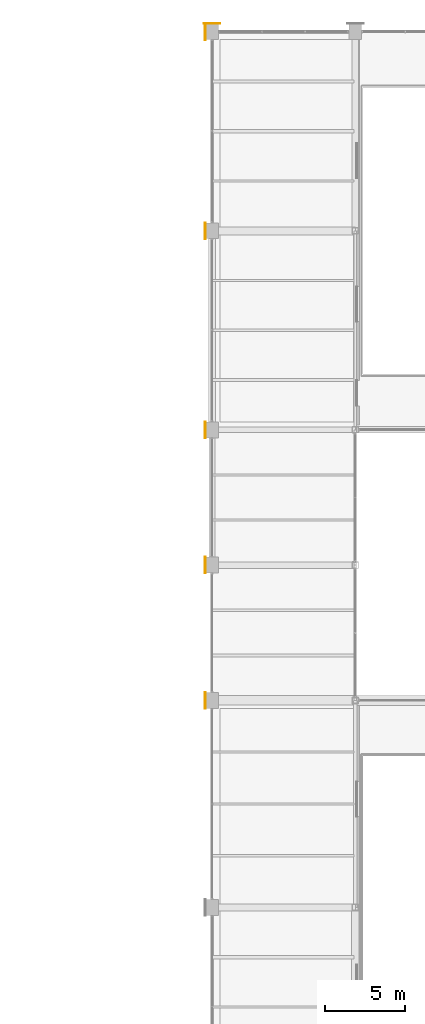
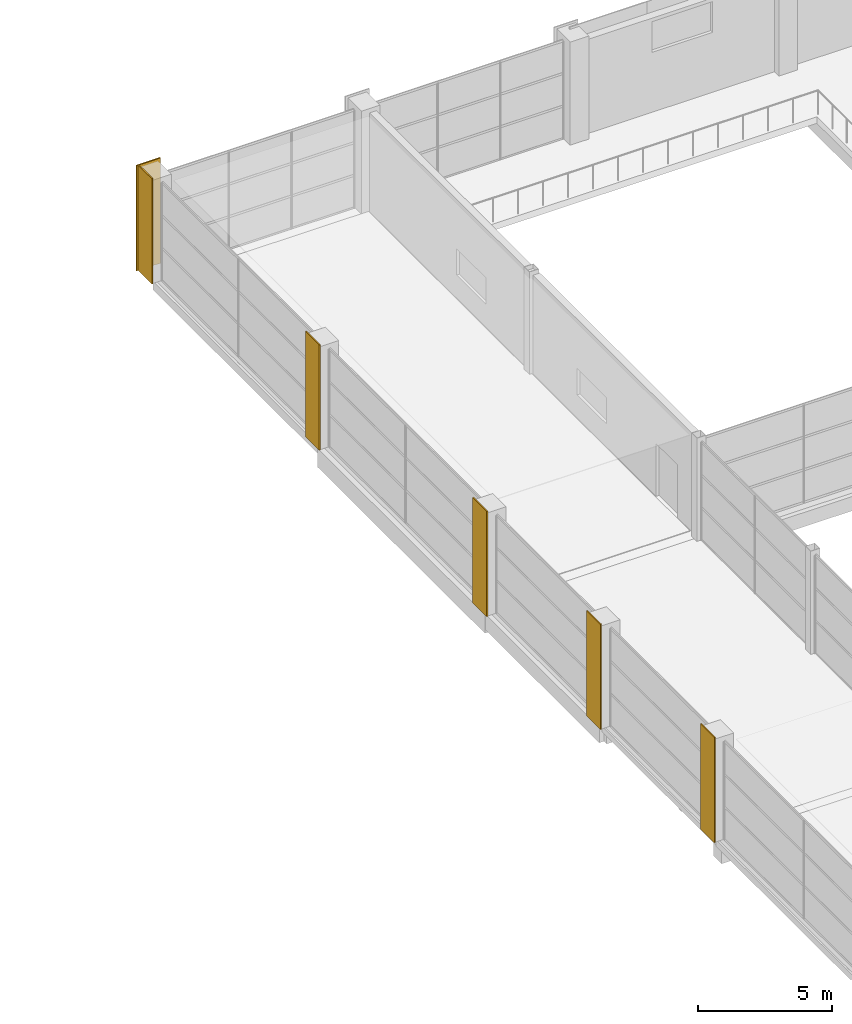
# One storey, part 108 of 112: 6 coverings.
"""IFC4 building model written with IfcOpenShell, lengths in metres."""

from ifc_helpers import new_model, si_unit, direction, frame, origin, origin_2d, place, context, subcontext, project, spatial, rectangle, extrude, material, layer, layer_set, type_object, element, save


model = new_model("IFC4")

# Units and contexts
model_context = context("Model", 3, precision=1e-05, world=origin(), true_north=direction((0.0, 1.0)))
body_context = subcontext(model_context, "Body", "Model", "MODEL_VIEW")
ifc_project = project(units=[si_unit("LENGTHUNIT", "METRE"), si_unit("AREAUNIT", "SQUARE_METRE"), si_unit("VOLUMEUNIT", "CUBIC_METRE"), si_unit("PLANEANGLEUNIT", "RADIAN"), si_unit("MASSUNIT", "GRAM", prefix="KILO")], contexts=[model_context])

# Site, building, storey
site_placement = place(None, origin())
site = spatial("IfcSite", under=ifc_project, at=site_placement, CompositionType="ELEMENT")
building_placement = place(site_placement, origin())
building = spatial("IfcBuilding", under=site, at=building_placement, Name="Solvikara Media Centre", CompositionType="ELEMENT")
storey_placement = place(building_placement, frame((0.0, 0.0, 5.39990234375)))
storey = spatial("IfcBuildingStorey", under=building, at=storey_placement, Name="L01", CompositionType="ELEMENT", Elevation=5.39990234375)

# Coverings
ifc_material = material(Name="GFRC white mineral architectural rainscreen panel")
ifc_layer = layer(ifc_material, 0.050048828125)
ifc_layer_set = layer_set([ifc_layer], Name="GFRC white mineral architectural rainscreen panel")
covering_type = type_object("IfcCoveringType", Name="CV-04", PredefinedType="CLADDING", material=ifc_layer_set)
for number, where, z_axis, x_axis, name in (
    (1, (127.074951171875, 72.0, 0.0), (0.0, 0.0, 1.0), (0.0, -1.0, 0.0), "PIL-L01-270"),
    (2, (127.074951171875, 80.5, 0.0), (0.0, 0.0, 1.0), (0.0, -1.0, 0.0), "PIL-L01-272"),
    (3, (127.074951171875, 89.0, 0.0), (0.0, 0.0, 1.0), (0.0, -1.0, 0.0), "PIL-L01-274"),
    (4, (127.074951171875, 101.5, 0.0), (0.0, 0.0, 1.0), (0.0, -1.0, 0.0), "PIL-L01-276"),
    (5, (127.5, 114.52490234375, 0.0), (0.0, 0.0, 1.0), (-1.0, 0.0, 0.0), "PIL-L01-279"),
    (6, (127.074951171875, 114.0, 0.0), (0.0, 0.0, 1.0), (0.0, -1.0, 0.0), "PIL-L01-280"),
):
    element("IfcCovering", number, at=place(storey_placement, frame(where, z_axis=z_axis, x_axis=x_axis)), inside=storey, type_object=covering_type, Name=name, PredefinedType="CLADDING", context=body_context, shape_type="SweptSolid", body=[
        extrude(rectangle(XDim=1.0400390625, YDim=0.050048828125, at=origin_2d()), origin(), (0.0, 0.0, 1.0), 4.800048828125),
    ])

save(model, "model.ifc")
